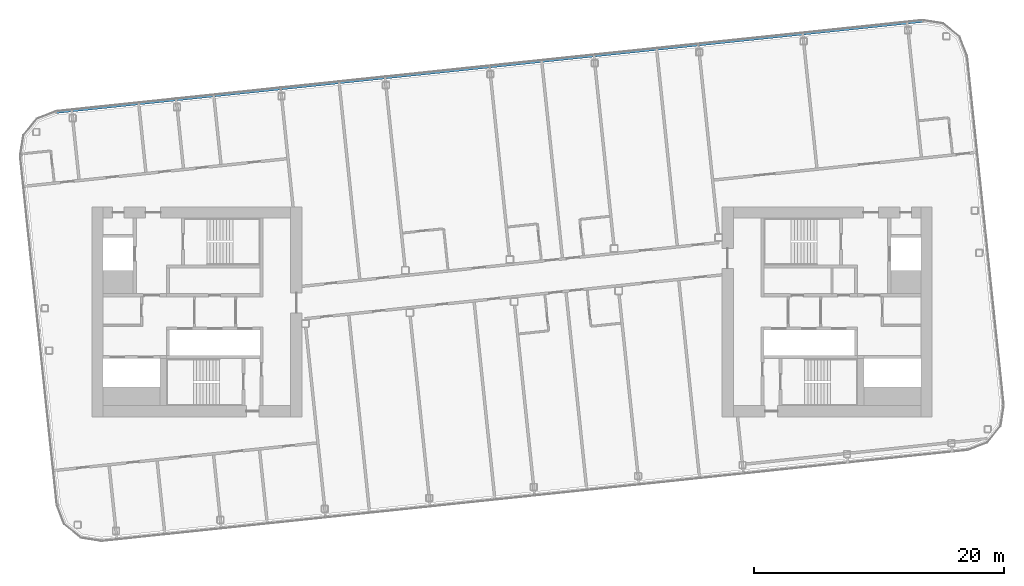
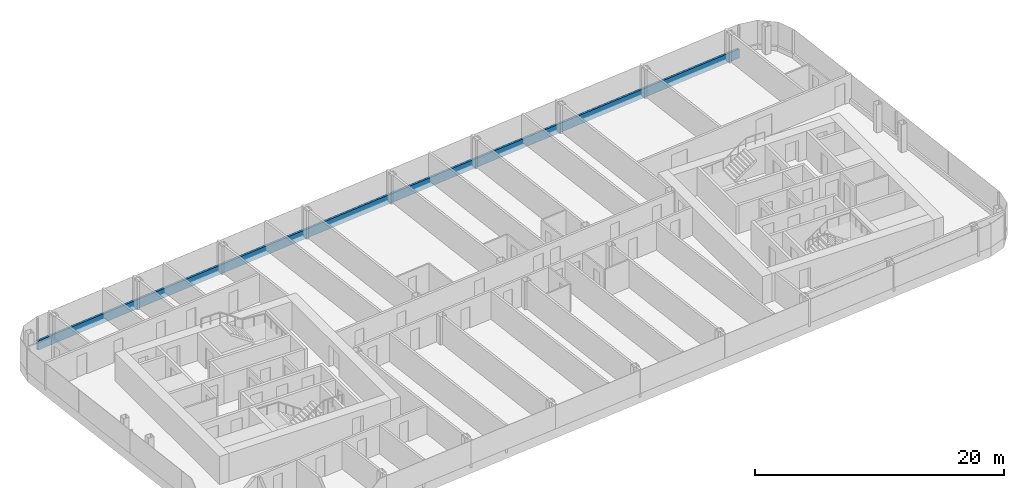
# One storey, part 10 of 27: 1 member, 1 element without a shape of its own.
"""IFC4 building model written with IfcOpenShell, lengths in metres."""

from ifc_helpers import new_model, si_unit, direction, frame, origin, origin_2d, place, context, subcontext, project, spatial, rectangle, extrude, material, layer, layer_set, material_profile, profile_set, type_object, element, aggregate, save


model = new_model("IFC4")

# Units and contexts
model_context = context("Model", 3, precision=1e-05, world=origin(), true_north=direction((0.0, 1.0)))
body_context = subcontext(model_context, "Body", "Model", "MODEL_VIEW")
ifc_project = project(units=[si_unit("LENGTHUNIT", "METRE"), si_unit("AREAUNIT", "SQUARE_METRE"), si_unit("VOLUMEUNIT", "CUBIC_METRE"), si_unit("PLANEANGLEUNIT", "RADIAN"), si_unit("MASSUNIT", "GRAM", prefix="KILO")], contexts=[model_context])

# Site, building, storey
site_placement = place(None, origin())
site = spatial("IfcSite", under=ifc_project, at=site_placement, CompositionType="ELEMENT")
building_placement = place(site_placement, origin())
building = spatial("IfcBuilding", under=site, at=building_placement, Name="Hakoniwa Tower and Hamabe Station Hall", CompositionType="ELEMENT")
storey_placement = place(building_placement, frame((0.0, 0.0, 261.39990234375)))
storey = spatial("IfcBuildingStorey", under=building, at=storey_placement, Name="L74", CompositionType="ELEMENT", Elevation=261.39990234375)

# Curtain wall, member
ifc_material_1 = material(Name="Dark low-e laminated glass", Category="glass")
ifc_layer = layer(ifc_material_1, 0.199951171875)
ifc_layer_set = layer_set([ifc_layer], Name="CW-1 UNITISED GUEST")
curtain_wall_type = type_object("IfcCurtainWallType", Name="CW-1 UNITISED GUEST", PredefinedType="NOTDEFINED", material=ifc_layer_set)
curtain_wall_placement = place(storey_placement, origin())
curtain_wall = element("IfcCurtainWall", 1, at=curtain_wall_placement, inside=storey, type_object=curtain_wall_type, Name="CW-1 curtain wall", PredefinedType="NOTDEFINED")
ifc_material_2 = material(Name="Aluminium 6063-T5 black anodised", Category="aluminium")
ifc_material_profile = material_profile(ifc_material_2, rectangle(XDim=0.199951171875, YDim=0.89990234375, at=origin_2d()), Name="CW SLAB-EDGE BAND 900X200")
ifc_profile_set = profile_set([ifc_material_profile], Name="Aluminium 6063-T5 black anodised")
member_type = type_object("IfcMemberType", Name="CW SLAB-EDGE BAND 900X200", PredefinedType="USERDEFINED", material=ifc_profile_set)
member_placement = place(storey_placement, frame((32.850830078125, 23.24755859375, -0.099853515625), z_axis=(-0.994521894037, -0.10452847593, 0.0), x_axis=(0.10452847593, -0.994521894037, 0.0)))
member = element("IfcMember", 2, at=member_placement, type_object=member_type, Name="CW-1 transom", ObjectType="TRANSOM", PredefinedType="USERDEFINED", context=body_context, shape_type="SweptSolid", body=[
    extrude(rectangle(XDim=0.199951171875, YDim=0.89990234375, at=origin_2d()), origin(), (0.0, 0.0, 1.0), 69.678955078125),
])
aggregate(curtain_wall, [member])

save(model, "model.ifc")
